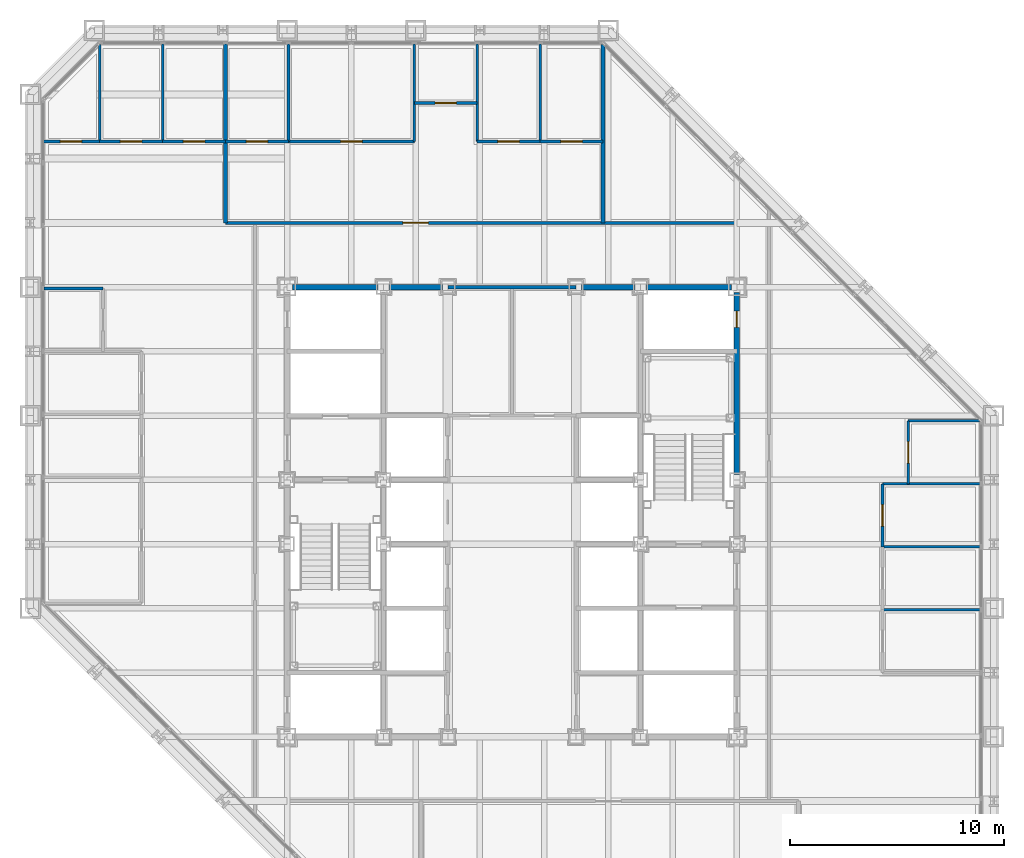
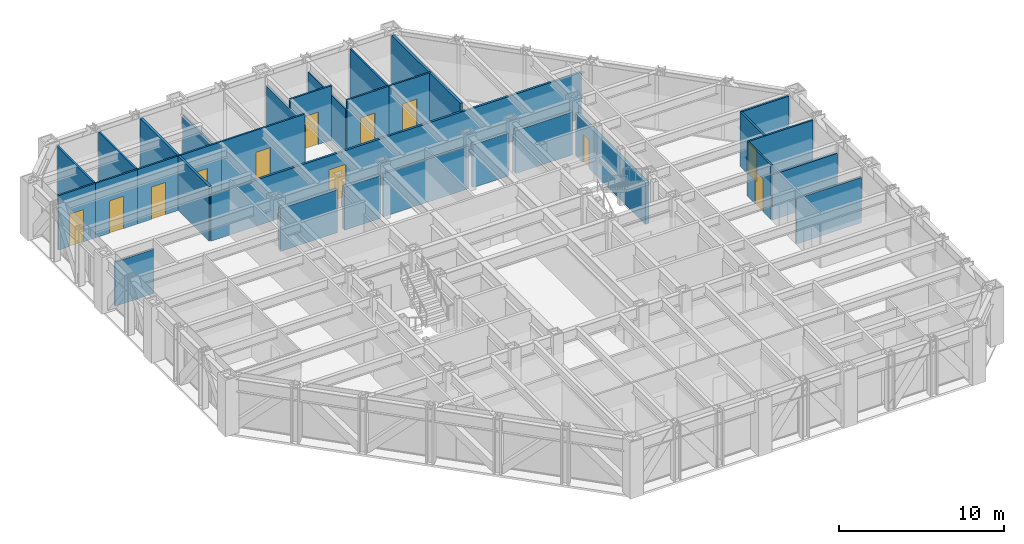
# One storey, part 12 of 16: 30 walls, 12 doors, 12 openings.
"""IFC4 building model written with IfcOpenShell, lengths in metres."""

from ifc_helpers import new_model, si_unit, direction, frame, frame_2d, origin, place, context, subcontext, project, spatial, rectangle, extrude, material, layer, layer_set, type_object, element, fill, save


model = new_model("IFC4")

# Units and contexts
model_context = context("Model", 3, precision=1e-05, world=origin(), true_north=direction((0.0, 1.0)))
body_context = subcontext(model_context, "Body", "Model", "MODEL_VIEW")
ifc_project = project(units=[si_unit("LENGTHUNIT", "METRE"), si_unit("AREAUNIT", "SQUARE_METRE"), si_unit("VOLUMEUNIT", "CUBIC_METRE"), si_unit("PLANEANGLEUNIT", "RADIAN"), si_unit("MASSUNIT", "GRAM", prefix="KILO")], contexts=[model_context])

# Site, building, storey
site_placement = place(None, origin())
site = spatial("IfcSite", under=ifc_project, at=site_placement, CompositionType="ELEMENT")
building_placement = place(site_placement, origin())
building = spatial("IfcBuilding", under=site, at=building_placement, Name="Chuquiago Exchange Tower", CompositionType="ELEMENT")
storey_placement = place(building_placement, frame((0.0, 0.0, 106.800048828125)))
storey = spatial("IfcBuildingStorey", under=building, at=storey_placement, Name="L22", CompositionType="ELEMENT", Elevation=106.800048828125)

# Walls
ifc_material_1 = material(Name="Concrete masonry, fully grouted", Category="masonry")
ifc_layer_1 = layer(ifc_material_1, 0.25)
ifc_layer_set_1 = layer_set([ifc_layer_1], Name="W1 core wall 250")
wall_type_1 = type_object("IfcWallType", Name="W1 core wall 250", PredefinedType="SOLIDWALL", material=ifc_layer_set_1)
wall_1_placement = place(storey_placement, frame((12.25, 33.0, 0.0), z_axis=(0.0, 0.0, 1.0), x_axis=(1.0, 0.0, 0.0)))
element("IfcWall", 1, at=wall_1_placement, inside=storey, type_object=wall_type_1, Name="CW-L22-11-0", PredefinedType="SOLIDWALL", context=body_context, shape_type="SweptSolid", body=[
    extrude(rectangle(XDim=4.0, YDim=0.25, at=frame_2d((2.0, 0.0))), origin(), (0.0, 0.0, 1.0), 3.181396484375),
])
for number, where, z_axis, x_axis, name in (
    (2, (16.75, 33.0, 0.0), (0.0, 0.0, 1.0), (1.0, 0.0, 0.0), "CW-L22-11-1"),
    (3, (25.75, 33.0, 0.0), (0.0, 0.0, 1.0), (1.0, 0.0, 0.0), "CW-L22-12-0"),
):
    element("IfcWall", number, at=place(storey_placement, frame(where, z_axis=z_axis, x_axis=x_axis)), inside=storey, type_object=wall_type_1, Name=name, PredefinedType="SOLIDWALL", context=body_context, shape_type="SweptSolid", body=[
        extrude(rectangle(XDim=2.5, YDim=0.25, at=frame_2d((1.25, 0.0))), origin(), (0.0, 0.0, 1.0), 3.181396484375),
    ])
wall_2_placement = place(storey_placement, frame((28.75, 33.0, 0.0), z_axis=(0.0, 0.0, 1.0), x_axis=(1.0, 0.0, 0.0)))
element("IfcWall", 4, at=wall_2_placement, inside=storey, type_object=wall_type_1, Name="CW-L22-12-1", PredefinedType="SOLIDWALL", context=body_context, shape_type="SweptSolid", body=[
    extrude(rectangle(XDim=4.0, YDim=0.25, at=frame_2d((2.0, 0.0))), origin(), (0.0, 0.0, 1.0), 3.181396484375),
])

# Wall, opening, door
wall_3_placement = place(storey_placement, frame((33.0, 24.25, 0.0), z_axis=(0.0, 0.0, 1.0), x_axis=(0.0, 1.0, 0.0)))
wall_3 = element("IfcWall", 5, at=wall_3_placement, inside=storey, type_object=wall_type_1, Name="CW-L22-25-2", PredefinedType="SOLIDWALL", context=body_context, shape_type="SweptSolid", body=[
    extrude(rectangle(XDim=8.5, YDim=0.25, at=frame_2d((4.25, 0.0))), origin(), (0.0, 0.0, 1.0), 3.11279296875),
])
opening_1_placement = place(wall_3_placement, frame((6.875, 0.0, 0.0)))
opening_1 = element("IfcOpeningElement", 6, at=opening_1_placement, cuts=wall_3, Name="Opening L22-010", PredefinedType="OPENING", context=body_context, shape_type="SweptSolid", body=[
    extrude(rectangle(XDim=0.75, YDim=2.10009765625, at=frame_2d((0.375, 1.050048828125))), frame((0.0, 0.135009765625, 0.0), z_axis=(0.0, -1.0, 0.0), x_axis=(1.0, 0.0, 0.0)), (0.0, 0.0, 1.0), 0.27001953125),
])
ifc_material_2 = material(Name="Steel door, painted", Category="steel")
door_type_1 = type_object("IfcDoorType", Name="D6 riser access door 750x2100", OperationType="SINGLE_SWING_LEFT", PredefinedType="DOOR", material=ifc_material_2)
door_1_placement = place(opening_1_placement, origin())
door_1 = element("IfcDoor", 7, at=door_1_placement, inside=storey, type_object=door_type_1, Name="Riser RE2 door", OperationType="SINGLE_SWING_RIGHT", OverallHeight=2.10009765625, OverallWidth=0.75, PredefinedType="DOOR", context=body_context, shape_type="SweptSolid", body=[
    extrude(rectangle(XDim=0.75, YDim=2.10009765625, at=frame_2d((0.375, 1.050048828125))), frame((0.0, 0.02490234375, 0.0), z_axis=(0.0, -1.0, 0.0), x_axis=(1.0, 0.0, 0.0)), (0.0, 0.0, 1.0), 0.050048828125),
])
fill(opening_1, door_1)

ifc_material_3 = material(Name="Gypsum board on steel studs, acoustic insulation", Category="steel")
ifc_layer_2 = layer(ifc_material_3, 0.14990234375)
ifc_layer_set_2 = layer_set([ifc_layer_2], Name="W11 corridor wall 150")
wall_type_2 = type_object("IfcWallType", Name="W11 corridor wall 150", PredefinedType="PARTITIONING", material=ifc_layer_set_2)
wall_4_placement = place(storey_placement, frame((9.124267578125, 36.0, 0.0), z_axis=(0.0, 0.0, 1.0), x_axis=(1.0, 0.0, 0.0)))
wall_4 = element("IfcWall", 8, at=wall_4_placement, inside=storey, type_object=wall_type_2, Name="PW-L22-CN", PredefinedType="PARTITIONING", context=body_context, shape_type="SweptSolid", body=[
    extrude(rectangle(XDim=25.990234375, YDim=0.14990234375, at=frame_2d((12.9951171875, 0.0))), origin(), (0.0, 0.0, 1.0), 3.427734375),
])
opening_2_placement = place(wall_4_placement, frame((8.275634765625, 0.0, 0.0)))
opening_2 = element("IfcOpeningElement", 9, at=opening_2_placement, cuts=wall_4, Name="Opening L22-043", PredefinedType="OPENING", context=body_context, shape_type="SweptSolid", body=[
    extrude(rectangle(XDim=1.199951171875, YDim=2.39990234375, at=frame_2d((0.60009765625, 1.199951171875))), frame((0.0, 0.0849609375, 0.0), z_axis=(0.0, -1.0, 0.0), x_axis=(1.0, 0.0, 0.0)), (0.0, 0.0, 1.0), 0.169921875),
])
ifc_material_4 = material(Name="Timber door, laminate faced", Category="wood")
door_type_2 = type_object("IfcDoorType", Name="D13 suite entrance door 1200x2400", OperationType="SINGLE_SWING_LEFT", PredefinedType="DOOR", material=ifc_material_4)
door_2_placement = place(opening_2_placement, origin())
door_2 = element("IfcDoor", 10, at=door_2_placement, inside=storey, type_object=door_type_2, Name="North suite entrance door", OperationType="SINGLE_SWING_LEFT", OverallHeight=2.39990234375, OverallWidth=1.199951171875, PredefinedType="DOOR", context=body_context, shape_type="SweptSolid", body=[
    extrude(rectangle(XDim=1.199951171875, YDim=2.39990234375, at=frame_2d((0.60009765625, 1.199951171875))), frame((0.0, 0.02490234375, 0.0), z_axis=(0.0, -1.0, 0.0), x_axis=(1.0, 0.0, 0.0)), (0.0, 0.0, 1.0), 0.050048828125),
])
fill(opening_2, door_2)

# Walls
ifc_material_5 = material(Name="Gypsum board on twin steel studs, acoustic insulation", Category="steel")
ifc_layer_3 = layer(ifc_material_5, 0.175048828125)
ifc_layer_set_3 = layer_set([ifc_layer_3], Name="W12 tenant demising wall 175")
wall_type_3 = type_object("IfcWallType", Name="W12 tenant demising wall 175", PredefinedType="PARTITIONING", material=ifc_layer_set_3)
wall_5_placement = place(storey_placement, frame((9.124267578125, 44.347412109375, 0.0), z_axis=(0.0, 0.0, 1.0), x_axis=(0.0, -1.0, 0.0)))
element("IfcWall", 11, at=wall_5_placement, inside=storey, type_object=wall_type_3, Name="PW-L22-DN00912", PredefinedType="PARTITIONING", context=body_context, shape_type="SweptSolid", body=[
    extrude(rectangle(XDim=8.347412109375, YDim=0.175048828125, at=frame_2d((4.173828125, 0.0))), origin(), (0.0, 0.0, 1.0), 4.0400390625),
])
wall_6_placement = place(storey_placement, frame((26.75146484375, 44.333984375, 0.0), z_axis=(0.0, 0.0, 1.0), x_axis=(0.0, -1.0, 0.0)))
element("IfcWall", 12, at=wall_6_placement, inside=storey, type_object=wall_type_3, Name="PW-L22-DN02675", PredefinedType="PARTITIONING", context=body_context, shape_type="SweptSolid", body=[
    extrude(rectangle(XDim=8.333984375, YDim=0.175048828125, at=frame_2d((4.1669921875, 0.0))), origin(), (0.0, 0.0, 1.0), 4.0400390625),
])
ifc_material_6 = material(Name="Gypsum board on steel studs", Category="steel")
ifc_layer_4 = layer(ifc_material_6, 0.14990234375)
ifc_layer_set_4 = layer_set([ifc_layer_4], Name="W3 core partition 150")
wall_type_4 = type_object("IfcWallType", Name="W3 core partition 150", PredefinedType="PARTITIONING", material=ifc_layer_set_4)
wall_7_placement = place(storey_placement, frame((19.5, 33.0, 0.0), z_axis=(0.0, 0.0, 1.0), x_axis=(1.0, 0.0, 0.0)))
element("IfcWall", 13, at=wall_7_placement, inside=storey, type_object=wall_type_4, Name="CW-L22-TB", PredefinedType="PARTITIONING", context=body_context, shape_type="SweptSolid", body=[
    extrude(rectangle(XDim=6.0, YDim=0.14990234375, at=frame_2d((3.0, 0.0))), origin(), (0.0, 0.0, 1.0), 3.181396484375),
])
ifc_material_7 = material(Name="Gypsum board on steel studs", Category="steel")
ifc_layer_5 = layer(ifc_material_7, 0.1201171875)
ifc_layer_set_5 = layer_set([ifc_layer_5], Name="W4 partition 120")
wall_type_5 = type_object("IfcWallType", Name="W4 partition 120", PredefinedType="PARTITIONING", material=ifc_layer_set_5)
for number, where, z_axis, x_axis, name in (
    (14, (44.347412109375, 17.93798828125, 0.0), (0.0, 0.0, 1.0), (-1.0, 0.0, 0.0), "PW-L22-E01794"),
    (15, (44.347412109375, 20.875732421875, 0.0), (0.0, 0.0, 1.0), (-1.0, 0.0, 0.0), "PW-L22-E02088"),
):
    element("IfcWall", number, at=place(storey_placement, frame(where, z_axis=z_axis, x_axis=x_axis)), inside=storey, type_object=wall_type_5, Name=name, PredefinedType="PARTITIONING", context=body_context, shape_type="SweptSolid", body=[
        extrude(rectangle(XDim=4.54736328125, YDim=0.1201171875, at=frame_2d((2.273681640625, 0.0))), origin(), (0.0, 0.0, 1.0), 3.356689453125),
    ])
wall_8_placement = place(storey_placement, frame((44.347412109375, 23.813720703125, 0.0), z_axis=(0.0, 0.0, 1.0), x_axis=(-1.0, 0.0, 0.0)))
element("IfcWall", 16, at=wall_8_placement, inside=storey, type_object=wall_type_5, Name="PW-L22-E02381", PredefinedType="PARTITIONING", context=body_context, shape_type="SweptSolid", body=[
    extrude(rectangle(XDim=4.54736328125, YDim=0.1201171875, at=frame_2d((2.273681640625, 0.0))), origin(), (0.0, 0.0, 1.0), 4.0400390625),
])
wall_9_placement = place(storey_placement, frame((44.333984375, 26.75146484375, 0.0), z_axis=(0.0, 0.0, 1.0), x_axis=(-1.0, 0.0, 0.0)))
element("IfcWall", 17, at=wall_9_placement, inside=storey, type_object=wall_type_5, Name="PW-L22-E02675", PredefinedType="PARTITIONING", context=body_context, shape_type="SweptSolid", body=[
    extrude(rectangle(XDim=3.333984375, YDim=0.1201171875, at=frame_2d((1.6669921875, 0.0))), origin(), (0.0, 0.0, 1.0), 4.0400390625),
])

# Wall, opening, door
wall_10_placement = place(storey_placement, frame((39.800048828125, 20.875732421875, 0.0), z_axis=(0.0, 0.0, 1.0), x_axis=(0.0, 1.0, 0.0)))
wall_10 = element("IfcWall", 18, at=wall_10_placement, inside=storey, type_object=wall_type_5, Name="PW-L22-EF02088", PredefinedType="PARTITIONING", context=body_context, shape_type="SweptSolid", body=[
    extrude(rectangle(XDim=2.93798828125, YDim=0.1201171875, at=frame_2d((1.468994140625, 0.0))), origin(), (0.0, 0.0, 1.0), 4.0400390625),
])
opening_3_placement = place(wall_10_placement, frame((0.968994140625, 0.0, 0.0)))
opening_3 = element("IfcOpeningElement", 19, at=opening_3_placement, cuts=wall_10, Name="Opening L22-028", PredefinedType="OPENING", context=body_context, shape_type="SweptSolid", body=[
    extrude(rectangle(XDim=1.0, YDim=2.39990234375, at=frame_2d((0.5, 1.199951171875))), frame((0.0, 0.070068359375, 0.0), z_axis=(0.0, -1.0, 0.0), x_axis=(1.0, 0.0, 0.0)), (0.0, 0.0, 1.0), 0.14013671875),
])
ifc_material_8 = material(Name="Timber frame door, full height glazed panel", Category="wood")
door_type_3 = type_object("IfcDoorType", Name="D14 glazed meeting room door 1000x2400", OperationType="SINGLE_SWING_LEFT", PredefinedType="DOOR", material=ifc_material_8)
door_3_placement = place(opening_3_placement, frame((1.0, 0.0, 0.0), z_axis=(0.0, 0.0, 1.0), x_axis=(-1.0, 0.0, 0.0)))
door_3 = element("IfcDoor", 20, at=door_3_placement, inside=storey, type_object=door_type_3, Name="Meeting room door", OperationType="SINGLE_SWING_LEFT", OverallHeight=2.39990234375, OverallWidth=1.0, PredefinedType="DOOR", context=body_context, shape_type="SweptSolid", body=[
    extrude(rectangle(XDim=1.0, YDim=2.39990234375, at=frame_2d((0.5, 1.199951171875))), frame((0.0, 0.02490234375, 0.0), z_axis=(0.0, -1.0, 0.0), x_axis=(1.0, 0.0, 0.0)), (0.0, 0.0, 1.0), 0.050048828125),
])
fill(opening_3, door_3)

wall_11_placement = place(storey_placement, frame((41.0, 23.813720703125, 0.0), z_axis=(0.0, 0.0, 1.0), x_axis=(0.0, 1.0, 0.0)))
wall_11 = element("IfcWall", 21, at=wall_11_placement, inside=storey, type_object=wall_type_5, Name="PW-L22-EF02381", PredefinedType="PARTITIONING", context=body_context, shape_type="SweptSolid", body=[
    extrude(rectangle(XDim=2.937744140625, YDim=0.1201171875, at=frame_2d((1.46875, 0.0))), origin(), (0.0, 0.0, 1.0), 4.0400390625),
])
opening_4_placement = place(wall_11_placement, frame((0.968994140625, 0.0, 0.0)))
opening_4 = element("IfcOpeningElement", 22, at=opening_4_placement, cuts=wall_11, Name="Opening L22-029", PredefinedType="OPENING", context=body_context, shape_type="SweptSolid", body=[
    extrude(rectangle(XDim=1.0, YDim=2.39990234375, at=frame_2d((0.5, 1.199951171875))), frame((0.0, 0.070068359375, 0.0), z_axis=(0.0, -1.0, 0.0), x_axis=(1.0, 0.0, 0.0)), (0.0, 0.0, 1.0), 0.14013671875),
])
ifc_material_9 = material(Name="Timber door, laminate faced", Category="wood")
door_type_4 = type_object("IfcDoorType", Name="D9 room door 1000x2400", OperationType="SINGLE_SWING_LEFT", PredefinedType="DOOR", material=ifc_material_9)
door_4_placement = place(opening_4_placement, frame((1.0, 0.0, 0.0), z_axis=(0.0, 0.0, 1.0), x_axis=(-1.0, 0.0, 0.0)))
door_4 = element("IfcDoor", 23, at=door_4_placement, inside=storey, type_object=door_type_4, Name="Pantry door", OperationType="SINGLE_SWING_RIGHT", OverallHeight=2.39990234375, OverallWidth=1.0, PredefinedType="DOOR", context=body_context, shape_type="SweptSolid", body=[
    extrude(rectangle(XDim=1.0, YDim=2.39990234375, at=frame_2d((0.5, 1.199951171875))), frame((0.0, 0.02490234375, 0.0), z_axis=(0.0, -1.0, 0.0), x_axis=(1.0, 0.0, 0.0)), (0.0, 0.0, 1.0), 0.050048828125),
])
fill(opening_4, door_4)

# Walls
wall_12_placement = place(storey_placement, frame((3.24853515625, 44.333984375, 0.0), z_axis=(0.0, 0.0, 1.0), x_axis=(0.0, -1.0, 0.0)))
element("IfcWall", 24, at=wall_12_placement, inside=storey, type_object=wall_type_5, Name="PW-L22-N00325", PredefinedType="PARTITIONING", context=body_context, shape_type="SweptSolid", body=[
    extrude(rectangle(XDim=4.533935546875, YDim=0.1201171875, at=frame_2d((2.26708984375, 0.0))), origin(), (0.0, 0.0, 1.0), 4.0400390625),
])
wall_13_placement = place(storey_placement, frame((6.186279296875, 44.347412109375, 0.0), z_axis=(0.0, 0.0, 1.0), x_axis=(0.0, -1.0, 0.0)))
element("IfcWall", 25, at=wall_13_placement, inside=storey, type_object=wall_type_5, Name="PW-L22-N00619", PredefinedType="PARTITIONING", context=body_context, shape_type="SweptSolid", body=[
    extrude(rectangle(XDim=4.54736328125, YDim=0.1201171875, at=frame_2d((2.273681640625, 0.0))), origin(), (0.0, 0.0, 1.0), 4.0400390625),
])
wall_14_placement = place(storey_placement, frame((12.06201171875, 44.347412109375, 0.0), z_axis=(0.0, 0.0, 1.0), x_axis=(0.0, -1.0, 0.0)))
element("IfcWall", 26, at=wall_14_placement, inside=storey, type_object=wall_type_5, Name="PW-L22-N01206", PredefinedType="PARTITIONING", context=body_context, shape_type="SweptSolid", body=[
    extrude(rectangle(XDim=4.54736328125, YDim=0.1201171875, at=frame_2d((2.273681640625, 0.0))), origin(), (0.0, 0.0, 1.0), 3.270263671875),
])
for number, where, z_axis, x_axis, name in (
    (27, (17.93798828125, 44.347412109375, 0.0), (0.0, 0.0, 1.0), (0.0, -1.0, 0.0), "PW-L22-N01794"),
    (28, (20.875732421875, 44.347412109375, 0.0), (0.0, 0.0, 1.0), (0.0, -1.0, 0.0), "PW-L22-N02088"),
):
    element("IfcWall", number, at=place(storey_placement, frame(where, z_axis=z_axis, x_axis=x_axis)), inside=storey, type_object=wall_type_5, Name=name, PredefinedType="PARTITIONING", context=body_context, shape_type="SweptSolid", body=[
        extrude(rectangle(XDim=4.54736328125, YDim=0.1201171875, at=frame_2d((2.273681640625, 0.0))), origin(), (0.0, 0.0, 1.0), 3.356689453125),
    ])
wall_15_placement = place(storey_placement, frame((23.813720703125, 44.347412109375, 0.0), z_axis=(0.0, 0.0, 1.0), x_axis=(0.0, -1.0, 0.0)))
element("IfcWall", 29, at=wall_15_placement, inside=storey, type_object=wall_type_5, Name="PW-L22-N02381", PredefinedType="PARTITIONING", context=body_context, shape_type="SweptSolid", body=[
    extrude(rectangle(XDim=4.54736328125, YDim=0.1201171875, at=frame_2d((2.273681640625, 0.0))), origin(), (0.0, 0.0, 1.0), 4.0400390625),
])

# Wall, opening, door
wall_16_placement = place(storey_placement, frame((0.632080078125, 39.800048828125, 0.0), z_axis=(0.0, 0.0, 1.0), x_axis=(1.0, 0.0, 0.0)))
wall_16 = element("IfcWall", 30, at=wall_16_placement, inside=storey, type_object=wall_type_5, Name="PW-L22-NF00060", PredefinedType="PARTITIONING", context=body_context, shape_type="SweptSolid", body=[
    extrude(rectangle(XDim=2.616455078125, YDim=0.1201171875, at=frame_2d((1.30810546875, 0.0))), origin(), (0.0, 0.0, 1.0), 4.0400390625),
])
opening_5_placement = place(wall_16_placement, frame((0.7744140625, 0.0, 0.0)))
opening_5 = element("IfcOpeningElement", 31, at=opening_5_placement, cuts=wall_16, Name="Opening L22-030", PredefinedType="OPENING", context=body_context, shape_type="SweptSolid", body=[
    extrude(rectangle(XDim=1.0, YDim=2.39990234375, at=frame_2d((0.5, 1.199951171875))), frame((0.0, 0.070068359375, 0.0), z_axis=(0.0, -1.0, 0.0), x_axis=(1.0, 0.0, 0.0)), (0.0, 0.0, 1.0), 0.14013671875),
])
door_5_placement = place(opening_5_placement, origin())
door_5 = element("IfcDoor", 32, at=door_5_placement, inside=storey, type_object=door_type_3, Name="Meeting room door", OperationType="SINGLE_SWING_LEFT", OverallHeight=2.39990234375, OverallWidth=1.0, PredefinedType="DOOR", context=body_context, shape_type="SweptSolid", body=[
    extrude(rectangle(XDim=1.0, YDim=2.39990234375, at=frame_2d((0.5, 1.199951171875))), frame((0.0, 0.02490234375, 0.0), z_axis=(0.0, -1.0, 0.0), x_axis=(1.0, 0.0, 0.0)), (0.0, 0.0, 1.0), 0.050048828125),
])
fill(opening_5, door_5)

wall_17_placement = place(storey_placement, frame((3.24853515625, 39.800048828125, 0.0), z_axis=(0.0, 0.0, 1.0), x_axis=(1.0, 0.0, 0.0)))
wall_17 = element("IfcWall", 33, at=wall_17_placement, inside=storey, type_object=wall_type_5, Name="PW-L22-NF00325", PredefinedType="PARTITIONING", context=body_context, shape_type="SweptSolid", body=[
    extrude(rectangle(XDim=2.937744140625, YDim=0.1201171875, at=frame_2d((1.46875, 0.0))), origin(), (0.0, 0.0, 1.0), 4.0400390625),
])
opening_6_placement = place(wall_17_placement, frame((0.968994140625, 0.0, 0.0)))
opening_6 = element("IfcOpeningElement", 34, at=opening_6_placement, cuts=wall_17, Name="Opening L22-031", PredefinedType="OPENING", context=body_context, shape_type="SweptSolid", body=[
    extrude(rectangle(XDim=1.0, YDim=2.39990234375, at=frame_2d((0.5, 1.199951171875))), frame((0.0, 0.070068359375, 0.0), z_axis=(0.0, -1.0, 0.0), x_axis=(1.0, 0.0, 0.0)), (0.0, 0.0, 1.0), 0.14013671875),
])
door_6_placement = place(opening_6_placement, origin())
door_6 = element("IfcDoor", 35, at=door_6_placement, inside=storey, type_object=door_type_4, Name="Office door", OperationType="SINGLE_SWING_LEFT", OverallHeight=2.39990234375, OverallWidth=1.0, PredefinedType="DOOR", context=body_context, shape_type="SweptSolid", body=[
    extrude(rectangle(XDim=1.0, YDim=2.39990234375, at=frame_2d((0.5, 1.199951171875))), frame((0.0, 0.02490234375, 0.0), z_axis=(0.0, -1.0, 0.0), x_axis=(1.0, 0.0, 0.0)), (0.0, 0.0, 1.0), 0.050048828125),
])
fill(opening_6, door_6)

wall_18_placement = place(storey_placement, frame((6.186279296875, 39.800048828125, 0.0), z_axis=(0.0, 0.0, 1.0), x_axis=(1.0, 0.0, 0.0)))
wall_18 = element("IfcWall", 36, at=wall_18_placement, inside=storey, type_object=wall_type_5, Name="PW-L22-NF00619", PredefinedType="PARTITIONING", context=body_context, shape_type="SweptSolid", body=[
    extrude(rectangle(XDim=2.93798828125, YDim=0.1201171875, at=frame_2d((1.468994140625, 0.0))), origin(), (0.0, 0.0, 1.0), 4.0400390625),
])
opening_7_placement = place(wall_18_placement, frame((0.968994140625, 0.0, 0.0)))
opening_7 = element("IfcOpeningElement", 37, at=opening_7_placement, cuts=wall_18, Name="Opening L22-032", PredefinedType="OPENING", context=body_context, shape_type="SweptSolid", body=[
    extrude(rectangle(XDim=1.0, YDim=2.39990234375, at=frame_2d((0.5, 1.199951171875))), frame((0.0, 0.070068359375, 0.0), z_axis=(0.0, -1.0, 0.0), x_axis=(1.0, 0.0, 0.0)), (0.0, 0.0, 1.0), 0.14013671875),
])
door_7_placement = place(opening_7_placement, origin())
door_7 = element("IfcDoor", 38, at=door_7_placement, inside=storey, type_object=door_type_4, Name="Office door", OperationType="SINGLE_SWING_RIGHT", OverallHeight=2.39990234375, OverallWidth=1.0, PredefinedType="DOOR", context=body_context, shape_type="SweptSolid", body=[
    extrude(rectangle(XDim=1.0, YDim=2.39990234375, at=frame_2d((0.5, 1.199951171875))), frame((0.0, 0.02490234375, 0.0), z_axis=(0.0, -1.0, 0.0), x_axis=(1.0, 0.0, 0.0)), (0.0, 0.0, 1.0), 0.050048828125),
])
fill(opening_7, door_7)

wall_19_placement = place(storey_placement, frame((9.124267578125, 39.800048828125, 0.0), z_axis=(0.0, 0.0, 1.0), x_axis=(1.0, 0.0, 0.0)))
wall_19 = element("IfcWall", 39, at=wall_19_placement, inside=storey, type_object=wall_type_5, Name="PW-L22-NF00912", PredefinedType="PARTITIONING", context=body_context, shape_type="SweptSolid", body=[
    extrude(rectangle(XDim=2.937744140625, YDim=0.1201171875, at=frame_2d((1.46875, 0.0))), origin(), (0.0, 0.0, 1.0), 4.0400390625),
])
opening_8_placement = place(wall_19_placement, frame((0.968994140625, 0.0, 0.0)))
opening_8 = element("IfcOpeningElement", 40, at=opening_8_placement, cuts=wall_19, Name="Opening L22-033", PredefinedType="OPENING", context=body_context, shape_type="SweptSolid", body=[
    extrude(rectangle(XDim=1.0, YDim=2.39990234375, at=frame_2d((0.5, 1.199951171875))), frame((0.0, 0.070068359375, 0.0), z_axis=(0.0, -1.0, 0.0), x_axis=(1.0, 0.0, 0.0)), (0.0, 0.0, 1.0), 0.14013671875),
])
door_8_placement = place(opening_8_placement, origin())
door_8 = element("IfcDoor", 41, at=door_8_placement, inside=storey, type_object=door_type_4, Name="Office door", OperationType="SINGLE_SWING_LEFT", OverallHeight=2.39990234375, OverallWidth=1.0, PredefinedType="DOOR", context=body_context, shape_type="SweptSolid", body=[
    extrude(rectangle(XDim=1.0, YDim=2.39990234375, at=frame_2d((0.5, 1.199951171875))), frame((0.0, 0.02490234375, 0.0), z_axis=(0.0, -1.0, 0.0), x_axis=(1.0, 0.0, 0.0)), (0.0, 0.0, 1.0), 0.050048828125),
])
fill(opening_8, door_8)

wall_20_placement = place(storey_placement, frame((12.06201171875, 39.800048828125, 0.0), z_axis=(0.0, 0.0, 1.0), x_axis=(1.0, 0.0, 0.0)))
wall_20 = element("IfcWall", 42, at=wall_20_placement, inside=storey, type_object=wall_type_5, Name="PW-L22-NF01206", PredefinedType="PARTITIONING", context=body_context, shape_type="SweptSolid", body=[
    extrude(rectangle(XDim=5.8759765625, YDim=0.1201171875, at=frame_2d((2.93798828125, 0.0))), origin(), (0.0, 0.0, 1.0), 4.0400390625),
])
opening_9_placement = place(wall_20_placement, frame((2.43798828125, 0.0, 0.0)))
opening_9 = element("IfcOpeningElement", 43, at=opening_9_placement, cuts=wall_20, Name="Opening L22-034", PredefinedType="OPENING", context=body_context, shape_type="SweptSolid", body=[
    extrude(rectangle(XDim=1.0, YDim=2.39990234375, at=frame_2d((0.5, 1.199951171875))), frame((0.0, 0.070068359375, 0.0), z_axis=(0.0, -1.0, 0.0), x_axis=(1.0, 0.0, 0.0)), (0.0, 0.0, 1.0), 0.14013671875),
])
door_9_placement = place(opening_9_placement, origin())
door_9 = element("IfcDoor", 44, at=door_9_placement, inside=storey, type_object=door_type_3, Name="Meeting room door", OperationType="SINGLE_SWING_LEFT", OverallHeight=2.39990234375, OverallWidth=1.0, PredefinedType="DOOR", context=body_context, shape_type="SweptSolid", body=[
    extrude(rectangle(XDim=1.0, YDim=2.39990234375, at=frame_2d((0.5, 1.199951171875))), frame((0.0, 0.02490234375, 0.0), z_axis=(0.0, -1.0, 0.0), x_axis=(1.0, 0.0, 0.0)), (0.0, 0.0, 1.0), 0.050048828125),
])
fill(opening_9, door_9)

wall_21_placement = place(storey_placement, frame((17.93798828125, 41.60009765625, 0.0), z_axis=(0.0, 0.0, 1.0), x_axis=(1.0, 0.0, 0.0)))
wall_21 = element("IfcWall", 45, at=wall_21_placement, inside=storey, type_object=wall_type_5, Name="PW-L22-NF01794", PredefinedType="PARTITIONING", context=body_context, shape_type="SweptSolid", body=[
    extrude(rectangle(XDim=2.937744140625, YDim=0.1201171875, at=frame_2d((1.46875, 0.0))), origin(), (0.0, 0.0, 1.0), 4.0400390625),
])
opening_10_placement = place(wall_21_placement, frame((0.968994140625, 0.0, 0.0)))
opening_10 = element("IfcOpeningElement", 46, at=opening_10_placement, cuts=wall_21, Name="Opening L22-035", PredefinedType="OPENING", context=body_context, shape_type="SweptSolid", body=[
    extrude(rectangle(XDim=1.0, YDim=2.39990234375, at=frame_2d((0.5, 1.199951171875))), frame((0.0, 0.070068359375, 0.0), z_axis=(0.0, -1.0, 0.0), x_axis=(1.0, 0.0, 0.0)), (0.0, 0.0, 1.0), 0.14013671875),
])
door_10_placement = place(opening_10_placement, origin())
door_10 = element("IfcDoor", 47, at=door_10_placement, inside=storey, type_object=door_type_3, Name="Focus room door", OperationType="SINGLE_SWING_RIGHT", OverallHeight=2.39990234375, OverallWidth=1.0, PredefinedType="DOOR", context=body_context, shape_type="SweptSolid", body=[
    extrude(rectangle(XDim=1.0, YDim=2.39990234375, at=frame_2d((0.5, 1.199951171875))), frame((0.0, 0.02490234375, 0.0), z_axis=(0.0, -1.0, 0.0), x_axis=(1.0, 0.0, 0.0)), (0.0, 0.0, 1.0), 0.050048828125),
])
fill(opening_10, door_10)

wall_22_placement = place(storey_placement, frame((20.875732421875, 39.800048828125, 0.0), z_axis=(0.0, 0.0, 1.0), x_axis=(1.0, 0.0, 0.0)))
wall_22 = element("IfcWall", 48, at=wall_22_placement, inside=storey, type_object=wall_type_5, Name="PW-L22-NF02088", PredefinedType="PARTITIONING", context=body_context, shape_type="SweptSolid", body=[
    extrude(rectangle(XDim=2.93798828125, YDim=0.1201171875, at=frame_2d((1.468994140625, 0.0))), origin(), (0.0, 0.0, 1.0), 4.0400390625),
])
opening_11_placement = place(wall_22_placement, frame((0.968994140625, 0.0, 0.0)))
opening_11 = element("IfcOpeningElement", 49, at=opening_11_placement, cuts=wall_22, Name="Opening L22-036", PredefinedType="OPENING", context=body_context, shape_type="SweptSolid", body=[
    extrude(rectangle(XDim=1.0, YDim=2.39990234375, at=frame_2d((0.5, 1.199951171875))), frame((0.0, 0.070068359375, 0.0), z_axis=(0.0, -1.0, 0.0), x_axis=(1.0, 0.0, 0.0)), (0.0, 0.0, 1.0), 0.14013671875),
])
door_11_placement = place(opening_11_placement, origin())
door_11 = element("IfcDoor", 50, at=door_11_placement, inside=storey, type_object=door_type_4, Name="Office door", OperationType="SINGLE_SWING_RIGHT", OverallHeight=2.39990234375, OverallWidth=1.0, PredefinedType="DOOR", context=body_context, shape_type="SweptSolid", body=[
    extrude(rectangle(XDim=1.0, YDim=2.39990234375, at=frame_2d((0.5, 1.199951171875))), frame((0.0, 0.02490234375, 0.0), z_axis=(0.0, -1.0, 0.0), x_axis=(1.0, 0.0, 0.0)), (0.0, 0.0, 1.0), 0.050048828125),
])
fill(opening_11, door_11)

wall_23_placement = place(storey_placement, frame((23.813720703125, 39.800048828125, 0.0), z_axis=(0.0, 0.0, 1.0), x_axis=(1.0, 0.0, 0.0)))
wall_23 = element("IfcWall", 51, at=wall_23_placement, inside=storey, type_object=wall_type_5, Name="PW-L22-NF02381", PredefinedType="PARTITIONING", context=body_context, shape_type="SweptSolid", body=[
    extrude(rectangle(XDim=2.937744140625, YDim=0.1201171875, at=frame_2d((1.46875, 0.0))), origin(), (0.0, 0.0, 1.0), 4.0400390625),
])
opening_12_placement = place(wall_23_placement, frame((0.968994140625, 0.0, 0.0)))
opening_12 = element("IfcOpeningElement", 52, at=opening_12_placement, cuts=wall_23, Name="Opening L22-037", PredefinedType="OPENING", context=body_context, shape_type="SweptSolid", body=[
    extrude(rectangle(XDim=1.0, YDim=2.39990234375, at=frame_2d((0.5, 1.199951171875))), frame((0.0, 0.070068359375, 0.0), z_axis=(0.0, -1.0, 0.0), x_axis=(1.0, 0.0, 0.0)), (0.0, 0.0, 1.0), 0.14013671875),
])
door_12_placement = place(opening_12_placement, origin())
door_12 = element("IfcDoor", 53, at=door_12_placement, inside=storey, type_object=door_type_4, Name="Office door", OperationType="SINGLE_SWING_RIGHT", OverallHeight=2.39990234375, OverallWidth=1.0, PredefinedType="DOOR", context=body_context, shape_type="SweptSolid", body=[
    extrude(rectangle(XDim=1.0, YDim=2.39990234375, at=frame_2d((0.5, 1.199951171875))), frame((0.0, 0.02490234375, 0.0), z_axis=(0.0, -1.0, 0.0), x_axis=(1.0, 0.0, 0.0)), (0.0, 0.0, 1.0), 0.050048828125),
])
fill(opening_12, door_12)

# Wall
wall_24_placement = place(storey_placement, frame((0.652587890625, 32.93798828125, 0.0), z_axis=(0.0, 0.0, 1.0), x_axis=(1.0, 0.0, 0.0)))
element("IfcWall", 54, at=wall_24_placement, inside=storey, type_object=wall_type_5, Name="PW-L22-W03294", PredefinedType="PARTITIONING", context=body_context, shape_type="SweptSolid", body=[
    extrude(rectangle(XDim=2.747314453125, YDim=0.1201171875, at=frame_2d((1.37353515625, 0.0))), origin(), (0.0, 0.0, 1.0), 3.270263671875),
])

save(model, "model.ifc")
